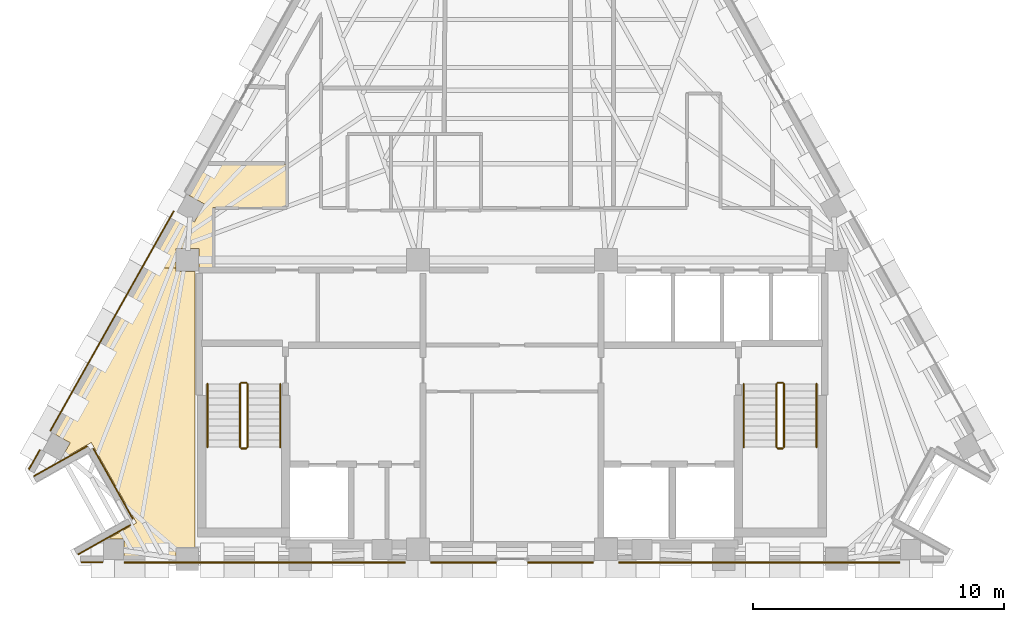
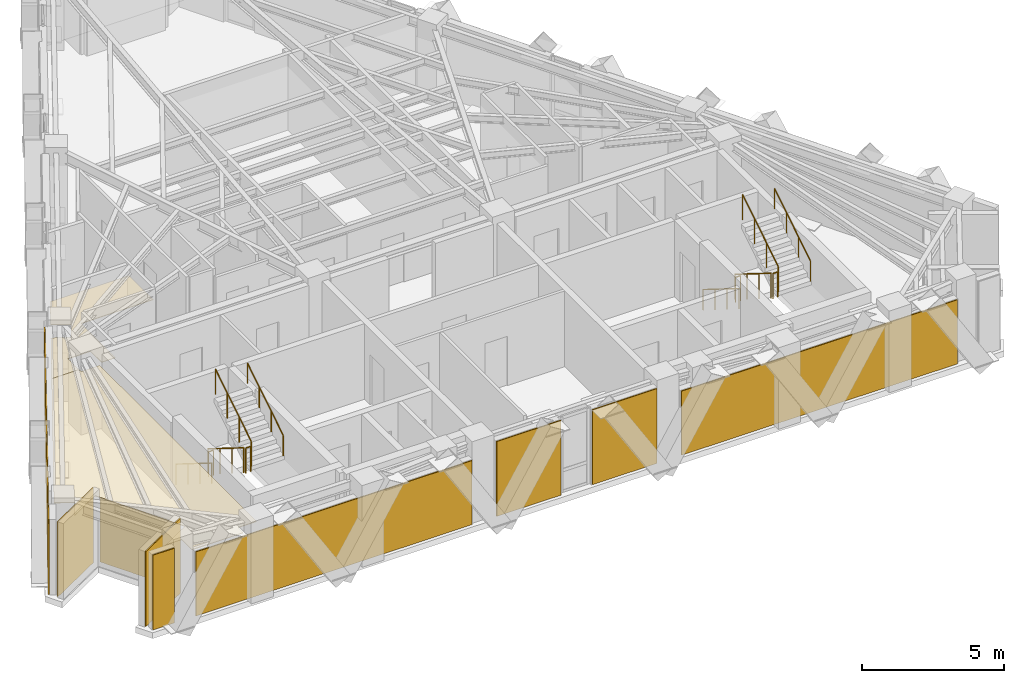
# One storey, part 8 of 9: 12 coverings, 12 railings.
"""IFC4 building model written with IfcOpenShell, lengths in metres."""

from ifc_helpers import new_model, si_unit, direction, frame, origin, origin_2d, place, context, subcontext, project, spatial, polyline, circle, outline, extrude, material, layer, layer_set, type_object, element, save


model = new_model("IFC4")

# Units and contexts
model_context = context("Model", 3, precision=1e-05, world=origin(), true_north=direction((0.0, 1.0)))
body_context = subcontext(model_context, "Body", "Model", "MODEL_VIEW")
ifc_project = project(units=[si_unit("LENGTHUNIT", "METRE"), si_unit("AREAUNIT", "SQUARE_METRE"), si_unit("VOLUMEUNIT", "CUBIC_METRE"), si_unit("PLANEANGLEUNIT", "RADIAN"), si_unit("MASSUNIT", "GRAM", prefix="KILO")], contexts=[model_context])

# Site, building, storey
site_placement = place(None, origin())
site = spatial("IfcSite", under=ifc_project, at=site_placement, CompositionType="ELEMENT")
building_placement = place(site_placement, origin())
building = spatial("IfcBuilding", under=site, at=building_placement, Name="Quenlor Broadcast Tower", CompositionType="ELEMENT")
storey_placement = place(building_placement, frame((0.0, 0.0, 249.89990234375)))
storey = spatial("IfcBuildingStorey", under=building, at=storey_placement, Name="L69", CompositionType="ELEMENT", Elevation=249.89990234375)

# Coverings
ifc_material_1 = material(Name="Acoustic Mineral Fibre Board", Category="other")
ifc_layer_1 = layer(ifc_material_1, 0.02490234375)
ifc_layer_set_1 = layer_set([ifc_layer_1], Name="Acoustic Perforated Mineral Tile Ceiling 25")
covering_type_1 = type_object("IfcCoveringType", Name="Acoustic Perforated Mineral Tile Ceiling 25", PredefinedType="CEILING", material=ifc_layer_set_1)
covering_1_placement = place(storey_placement, frame((0.0, 0.0, 2.714599609375)))
element("IfcCovering", 1, at=covering_1_placement, inside=storey, type_object=covering_type_1, Name="L69 Acoustic Ceiling L69-30", PredefinedType="CEILING", context=body_context, shape_type="SweptSolid", body=[
    extrude(outline(polyline([(-13.295654296875, -2.930419921875), (-12.669921875, -3.2822265625), (-12.27001953125, -2.571044921875), (-12.895751953125, -2.218994140625), (-12.206298828125, -0.993408203125), (-9.0, -0.993408203125), (-9.0, -2.699951171875), (-11.929931640625, -2.699951171875), (-11.929931640625, -5.1201171875), (-12.491943359375, -5.1201171875), (-12.491943359375, -4.342041015625), (-13.407958984375, -4.342041015625), (-13.407958984375, -5.1201171875), (-14.52734375, -5.1201171875), (-13.295654296875, -2.930419921875)])), origin(), (0.0, 0.0, 1.0), 0.025146484375),
])
covering_2_placement = place(storey_placement, frame((0.0, 0.0, 2.714599609375)))
element("IfcCovering", 2, at=covering_2_placement, inside=storey, type_object=covering_type_1, Name="L69 Acoustic Ceiling L69-30-2", PredefinedType="CEILING", context=body_context, shape_type="SweptSolid", body=[
    extrude(outline(polyline([(-17.626708984375, -12.09423828125), (-18.25244140625, -11.7421875), (-14.52734375, -5.1201171875), (-13.407958984375, -5.1201171875), (-13.407958984375, -5.258056640625), (-12.64990234375, -5.258056640625), (-12.64990234375, -16.2919921875), (-13.407958984375, -16.2919921875), (-13.407958984375, -16.659912109375), (-15.489501953125, -16.659912109375), (-15.489501953125, -15.94189453125), (-16.1435546875, -15.94189453125), (-14.983642578125, -15.28955078125), (-16.785888671875, -12.085693359375), (-18.0087890625, -12.773681640625), (-17.626708984375, -12.09423828125)])), origin(), (0.0, 0.0, 1.0), 0.025146484375),
])
ifc_material_2 = material(Name="Architectural Terracotta Ceramic", Category="masonry")
ifc_layer_2 = layer(ifc_material_2, 0.044921875)
ifc_layer_set_2 = layer_set([ifc_layer_2], Name="Fluted Terracotta Rainscreen Cladding Panel")
covering_type_2 = type_object("IfcCoveringType", Name="Fluted Terracotta Rainscreen Cladding Panel", PredefinedType="CLADDING", material=ifc_layer_set_2)
covering_3_placement = place(storey_placement, frame((0.0, 0.0, 0.02001953125)))
element("IfcCovering", 3, at=covering_3_placement, inside=storey, type_object=covering_type_2, Name="L69 Terracotta Rainscreen Cladding L69-SHD-SS1", PredefinedType="CLADDING", context=body_context, shape_type="SweptSolid", body=[
    extrude(outline(polyline([(-16.33251953125, -16.8369140625), (-17.18994140625, -16.8369140625), (-17.18994140625, -16.882080078125), (-16.33251953125, -16.882080078125), (-16.33251953125, -16.8369140625)])), origin(), (0.0, 0.0, 1.0), 3.2099609375),
])
covering_4_placement = place(storey_placement, frame((0.0, 0.0, 0.02001953125)))
element("IfcCovering", 4, at=covering_4_placement, inside=storey, type_object=covering_type_2, Name="L69 Terracotta Rainscreen Cladding L69-EW-SA", PredefinedType="CLADDING", context=body_context, shape_type="SweptSolid", body=[
    extrude(outline(polyline([(15.462646484375, -16.846923828125), (4.25, -16.846923828125), (4.25, -16.89208984375), (15.462646484375, -16.89208984375), (15.462646484375, -16.846923828125)])), origin(), (0.0, 0.0, 1.0), 2.749755859375),
])
covering_5_placement = place(storey_placement, frame((0.0, 0.0, 0.02001953125)))
element("IfcCovering", 5, at=covering_5_placement, inside=storey, type_object=covering_type_2, Name="L69 Terracotta Rainscreen Cladding L69-EW-SC", PredefinedType="CLADDING", context=body_context, shape_type="SweptSolid", body=[
    extrude(outline(polyline([(-4.25, -16.846923828125), (-15.462646484375, -16.846923828125), (-15.462646484375, -16.89208984375), (-4.25, -16.89208984375), (-4.25, -16.846923828125)])), origin(), (0.0, 0.0, 1.0), 2.749755859375),
])
covering_6_placement = place(storey_placement, frame((0.0, 0.0, 0.02001953125)))
element("IfcCovering", 6, at=covering_6_placement, inside=storey, type_object=covering_type_2, Name="L69 Terracotta Rainscreen Cladding L69-S-SP1", PredefinedType="CLADDING", context=body_context, shape_type="SweptSolid", body=[
    extrude(outline(polyline([(3.25, -16.846923828125), (0.636474609375, -16.846923828125), (0.636474609375, -16.89208984375), (3.25, -16.89208984375), (3.25, -16.846923828125)])), origin(), (0.0, 0.0, 1.0), 3.2099609375),
])
covering_7_placement = place(storey_placement, frame((0.0, 0.0, 0.02001953125)))
element("IfcCovering", 7, at=covering_7_placement, inside=storey, type_object=covering_type_2, Name="L69 Terracotta Rainscreen Cladding L69-S-SP2", PredefinedType="CLADDING", context=body_context, shape_type="SweptSolid", body=[
    extrude(outline(polyline([(-0.636474609375, -16.846923828125), (-3.25, -16.846923828125), (-3.25, -16.89208984375), (-0.636474609375, -16.89208984375), (-0.636474609375, -16.846923828125)])), origin(), (0.0, 0.0, 1.0), 3.2099609375),
])
covering_8_placement = place(storey_placement, frame((0.0, 0.0, 0.02001953125)))
element("IfcCovering", 8, at=covering_8_placement, inside=storey, type_object=covering_type_2, Name="L69 Terracotta Rainscreen Cladding L69-SHD-NWS0", PredefinedType="CLADDING", context=body_context, shape_type="SweptSolid", body=[
    extrude(outline(polyline([(-19.25390625, -13.161376953125), (-18.820068359375, -12.39013671875), (-18.859130859375, -12.3681640625), (-19.29296875, -13.139404296875), (-19.25390625, -13.161376953125)])), origin(), (0.0, 0.0, 1.0), 3.2099609375),
])
covering_9_placement = place(storey_placement, frame((0.0, 0.0, 0.02001953125)))
element("IfcCovering", 9, at=covering_9_placement, inside=storey, type_object=covering_type_2, Name="L69 Terracotta Rainscreen Cladding L69-EW-NWA", PredefinedType="CLADDING", context=body_context, shape_type="SweptSolid", body=[
    extrude(outline(polyline([(-18.402099609375, -11.626953125), (-13.471923828125, -2.862060546875), (-13.51123046875, -2.840087890625), (-18.44140625, -11.60498046875), (-18.402099609375, -11.626953125)])), origin(), (0.0, 0.0, 1.0), 3.2099609375),
])
covering_10_placement = place(storey_placement, frame((0.0, 0.0, 0.02001953125)))
element("IfcCovering", 10, at=covering_10_placement, inside=storey, type_object=covering_type_2, Name="L69 Terracotta Rainscreen Cladding L69-CNR-13", PredefinedType="CLADDING", context=body_context, shape_type="SweptSolid", body=[
    extrude(outline(polyline([(-19.062255859375, -13.444091796875), (-16.935546875, -12.247802734375), (-16.95751953125, -12.208740234375), (-19.084228515625, -13.405029296875), (-19.062255859375, -13.444091796875)])), origin(), (0.0, 0.0, 1.0), 3.2099609375),
])
covering_11_placement = place(storey_placement, frame((0.0, 0.0, 0.02001953125)))
element("IfcCovering", 11, at=covering_11_placement, inside=storey, type_object=covering_type_2, Name="L69 Terracotta Rainscreen Cladding L69-CNR-14", PredefinedType="CLADDING", context=body_context, shape_type="SweptSolid", body=[
    extrude(outline(polyline([(-16.72265625, -12.3369140625), (-15.14599609375, -15.139892578125), (-15.106689453125, -15.117919921875), (-16.683349609375, -12.31494140625), (-16.72265625, -12.3369140625)])), origin(), (0.0, 0.0, 1.0), 2.749755859375),
])
covering_12_placement = place(storey_placement, frame((0.0, 0.0, 0.02001953125)))
element("IfcCovering", 12, at=covering_12_placement, inside=storey, type_object=covering_type_2, Name="L69 Terracotta Rainscreen Cladding L69-CNR-15", PredefinedType="CLADDING", context=body_context, shape_type="SweptSolid", body=[
    extrude(outline(polyline([(-15.23486328125, -15.352783203125), (-17.32666015625, -16.529541015625), (-17.3046875, -16.568603515625), (-15.212890625, -15.39208984375), (-15.23486328125, -15.352783203125)])), origin(), (0.0, 0.0, 1.0), 3.2099609375),
])

# Railings
ifc_material_3 = material(Name="Anodised Aluminium", Category="aluminium")
railing_type_1 = type_object("IfcRailingType", Name="Stainless Aluminium Wall Handrail 900", PredefinedType="HANDRAIL", material=ifc_material_3)
railing_1_placement = place(storey_placement, frame((-12.14990234375, -9.75, 0.175048828125)))
element("IfcRailing", 13, at=railing_1_placement, inside=storey, type_object=railing_type_1, Name="L69 ST-1 stair handrail 1", PredefinedType="HANDRAIL", context=body_context, shape_type="SweptSolid", body=[
    extrude(circle(Radius=0.02392578125, at=origin_2d()), frame((0.0, 0.0, 0.8759765625), z_axis=(0.0, -0.848007534815, 0.529984170421), x_axis=(1.0, 0.0, 0.0)), (0.0, 0.0, 1.0), 2.9716796875),
    extrude(circle(Radius=0.02099609375, at=origin_2d()), origin(), (0.0, 0.0, 1.0), 0.851806640625),
    extrude(circle(Radius=0.02099609375, at=origin_2d()), frame((0.0, -0.840087890625, 0.52490234375)), (0.0, 0.0, 1.0), 0.851806640625),
    extrude(circle(Radius=0.02099609375, at=origin_2d()), frame((0.0, -1.679931640625, 1.050048828125)), (0.0, 0.0, 1.0), 0.851806640625),
    extrude(circle(Radius=0.02099609375, at=origin_2d()), frame((0.0, -2.52001953125, 1.574951171875)), (0.0, 0.0, 1.0), 0.851806640625),
])
railing_2_placement = place(storey_placement, frame((-9.25, -12.27001953125, 1.925048828125)))
element("IfcRailing", 14, at=railing_2_placement, inside=storey, type_object=railing_type_1, Name="L69 ST-1 stair handrail 2", PredefinedType="HANDRAIL", context=body_context, shape_type="SweptSolid", body=[
    extrude(circle(Radius=0.02392578125, at=origin_2d()), frame((0.0, 0.0, 0.8759765625), z_axis=(0.0, 0.848007534815, 0.529984170421), x_axis=(-1.0, 0.0, 0.0)), (0.0, 0.0, 1.0), 2.9716796875),
    extrude(circle(Radius=0.02099609375, at=origin_2d()), origin(), (0.0, 0.0, 1.0), 0.851806640625),
    extrude(circle(Radius=0.02099609375, at=origin_2d()), frame((0.0, 0.840087890625, 0.52490234375)), (0.0, 0.0, 1.0), 0.851806640625),
    extrude(circle(Radius=0.02099609375, at=origin_2d()), frame((0.0, 1.679931640625, 1.050048828125)), (0.0, 0.0, 1.0), 0.851806640625),
    extrude(circle(Radius=0.02099609375, at=origin_2d()), frame((0.0, 2.52001953125, 1.574951171875)), (0.0, 0.0, 1.0), 0.851806640625),
])
railing_3_placement = place(storey_placement, frame((9.25, -9.75, 0.175048828125)))
element("IfcRailing", 15, at=railing_3_placement, inside=storey, type_object=railing_type_1, Name="L69 ST-2 stair handrail 1", PredefinedType="HANDRAIL", context=body_context, shape_type="SweptSolid", body=[
    extrude(circle(Radius=0.02392578125, at=origin_2d()), frame((0.0, 0.0, 0.8759765625), z_axis=(0.0, -0.848007534815, 0.529984170421), x_axis=(1.0, 0.0, 0.0)), (0.0, 0.0, 1.0), 2.9716796875),
    extrude(circle(Radius=0.02099609375, at=origin_2d()), origin(), (0.0, 0.0, 1.0), 0.851806640625),
    extrude(circle(Radius=0.02099609375, at=origin_2d()), frame((0.0, -0.840087890625, 0.52490234375)), (0.0, 0.0, 1.0), 0.851806640625),
    extrude(circle(Radius=0.02099609375, at=origin_2d()), frame((0.0, -1.679931640625, 1.050048828125)), (0.0, 0.0, 1.0), 0.851806640625),
    extrude(circle(Radius=0.02099609375, at=origin_2d()), frame((0.0, -2.52001953125, 1.574951171875)), (0.0, 0.0, 1.0), 0.851806640625),
])
railing_4_placement = place(storey_placement, frame((12.14990234375, -12.27001953125, 1.925048828125)))
element("IfcRailing", 16, at=railing_4_placement, inside=storey, type_object=railing_type_1, Name="L69 ST-2 stair handrail 2", PredefinedType="HANDRAIL", context=body_context, shape_type="SweptSolid", body=[
    extrude(circle(Radius=0.02392578125, at=origin_2d()), frame((0.0, 0.0, 0.8759765625), z_axis=(0.0, 0.848007534815, 0.529984170421), x_axis=(-1.0, 0.0, 0.0)), (0.0, 0.0, 1.0), 2.9716796875),
    extrude(circle(Radius=0.02099609375, at=origin_2d()), origin(), (0.0, 0.0, 1.0), 0.851806640625),
    extrude(circle(Radius=0.02099609375, at=origin_2d()), frame((0.0, 0.840087890625, 0.52490234375)), (0.0, 0.0, 1.0), 0.851806640625),
    extrude(circle(Radius=0.02099609375, at=origin_2d()), frame((0.0, 1.679931640625, 1.050048828125)), (0.0, 0.0, 1.0), 0.851806640625),
    extrude(circle(Radius=0.02099609375, at=origin_2d()), frame((0.0, 2.52001953125, 1.574951171875)), (0.0, 0.0, 1.0), 0.851806640625),
])
ifc_material_4 = material(Name="Steel S355", Category="steel")
railing_type_2 = type_object("IfcRailingType", Name="Tubular Steel S355 Stair Guardrail 1100", PredefinedType="BALUSTRADE", material=ifc_material_4)
railing_5_placement = place(storey_placement, frame((-10.85009765625, -9.75, 0.175048828125)))
element("IfcRailing", 17, at=railing_5_placement, inside=storey, type_object=railing_type_2, Name="L69 ST-1 stair guard 1", PredefinedType="BALUSTRADE", context=body_context, shape_type="SweptSolid", body=[
    extrude(circle(Radius=0.02392578125, at=origin_2d()), frame((0.0, 0.0, 1.076171875), z_axis=(0.0, -0.848007534815, 0.529984170421), x_axis=(1.0, 0.0, 0.0)), (0.0, 0.0, 1.0), 2.9716796875),
    extrude(circle(Radius=0.02099609375, at=origin_2d()), origin(), (0.0, 0.0, 1.0), 1.052001953125),
    extrude(circle(Radius=0.02099609375, at=origin_2d()), frame((0.0, -0.840087890625, 0.52490234375)), (0.0, 0.0, 1.0), 1.052001953125),
    extrude(circle(Radius=0.02099609375, at=origin_2d()), frame((0.0, -1.679931640625, 1.050048828125)), (0.0, 0.0, 1.0), 1.052001953125),
    extrude(circle(Radius=0.02099609375, at=origin_2d()), frame((0.0, -2.52001953125, 1.574951171875)), (0.0, 0.0, 1.0), 1.052001953125),
])
railing_6_placement = place(storey_placement, frame((-10.800048828125, -12.320068359375, 1.75)))
element("IfcRailing", 18, at=railing_6_placement, inside=storey, type_object=railing_type_2, Name="L69 ST-1 stair guard 2", PredefinedType="BALUSTRADE", context=body_context, shape_type="SweptSolid", body=[
    extrude(circle(Radius=0.02392578125, at=origin_2d()), frame((0.0, 0.0, 1.076171875), z_axis=(1.0, 0.0, 0.0), x_axis=(0.0, 1.0, 0.0)), (0.0, 0.0, 1.0), 0.199951171875),
    extrude(circle(Radius=0.02099609375, at=origin_2d()), origin(), (0.0, 0.0, 1.0), 1.052001953125),
    extrude(circle(Radius=0.02099609375, at=origin_2d()), frame((0.199951171875, 0.0, 0.0)), (0.0, 0.0, 1.0), 1.052001953125),
])
railing_7_placement = place(storey_placement, frame((-10.550048828125, -12.27001953125, 1.925048828125)))
element("IfcRailing", 19, at=railing_7_placement, inside=storey, type_object=railing_type_2, Name="L69 ST-1 stair guard 3", PredefinedType="BALUSTRADE", context=body_context, shape_type="SweptSolid", body=[
    extrude(circle(Radius=0.02392578125, at=origin_2d()), frame((0.0, 0.0, 1.076171875), z_axis=(0.0, 0.848007534815, 0.529984170421), x_axis=(-1.0, 0.0, 0.0)), (0.0, 0.0, 1.0), 2.9716796875),
    extrude(circle(Radius=0.02099609375, at=origin_2d()), origin(), (0.0, 0.0, 1.0), 1.052001953125),
    extrude(circle(Radius=0.02099609375, at=origin_2d()), frame((0.0, 0.840087890625, 0.52490234375)), (0.0, 0.0, 1.0), 1.052001953125),
    extrude(circle(Radius=0.02099609375, at=origin_2d()), frame((0.0, 1.679931640625, 1.050048828125)), (0.0, 0.0, 1.0), 1.052001953125),
    extrude(circle(Radius=0.02099609375, at=origin_2d()), frame((0.0, 2.52001953125, 1.574951171875)), (0.0, 0.0, 1.0), 1.052001953125),
])
railing_8_placement = place(storey_placement, frame((-10.800048828125, -9.699951171875, 0.0)))
element("IfcRailing", 20, at=railing_8_placement, inside=storey, type_object=railing_type_2, Name="L69 ST-1 stair guard 4", PredefinedType="BALUSTRADE", context=body_context, shape_type="SweptSolid", body=[
    extrude(circle(Radius=0.02392578125, at=origin_2d()), frame((0.0, 0.0, 1.076171875), z_axis=(1.0, 0.0, 0.0), x_axis=(0.0, 1.0, 0.0)), (0.0, 0.0, 1.0), 0.199951171875),
    extrude(circle(Radius=0.02099609375, at=origin_2d()), origin(), (0.0, 0.0, 1.0), 1.052001953125),
    extrude(circle(Radius=0.02099609375, at=origin_2d()), frame((0.199951171875, 0.0, 0.0)), (0.0, 0.0, 1.0), 1.052001953125),
])
railing_9_placement = place(storey_placement, frame((10.550048828125, -9.75, 0.175048828125)))
element("IfcRailing", 21, at=railing_9_placement, inside=storey, type_object=railing_type_2, Name="L69 ST-2 stair guard 1", PredefinedType="BALUSTRADE", context=body_context, shape_type="SweptSolid", body=[
    extrude(circle(Radius=0.02392578125, at=origin_2d()), frame((0.0, 0.0, 1.076171875), z_axis=(0.0, -0.848007534815, 0.529984170421), x_axis=(1.0, 0.0, 0.0)), (0.0, 0.0, 1.0), 2.9716796875),
    extrude(circle(Radius=0.02099609375, at=origin_2d()), origin(), (0.0, 0.0, 1.0), 1.052001953125),
    extrude(circle(Radius=0.02099609375, at=origin_2d()), frame((0.0, -0.840087890625, 0.52490234375)), (0.0, 0.0, 1.0), 1.052001953125),
    extrude(circle(Radius=0.02099609375, at=origin_2d()), frame((0.0, -1.679931640625, 1.050048828125)), (0.0, 0.0, 1.0), 1.052001953125),
    extrude(circle(Radius=0.02099609375, at=origin_2d()), frame((0.0, -2.52001953125, 1.574951171875)), (0.0, 0.0, 1.0), 1.052001953125),
])
railing_10_placement = place(storey_placement, frame((10.60009765625, -12.320068359375, 1.75)))
element("IfcRailing", 22, at=railing_10_placement, inside=storey, type_object=railing_type_2, Name="L69 ST-2 stair guard 2", PredefinedType="BALUSTRADE", context=body_context, shape_type="SweptSolid", body=[
    extrude(circle(Radius=0.02392578125, at=origin_2d()), frame((0.0, 0.0, 1.076171875), z_axis=(1.0, 0.0, 0.0), x_axis=(0.0, 1.0, 0.0)), (0.0, 0.0, 1.0), 0.199951171875),
    extrude(circle(Radius=0.02099609375, at=origin_2d()), origin(), (0.0, 0.0, 1.0), 1.052001953125),
    extrude(circle(Radius=0.02099609375, at=origin_2d()), frame((0.199951171875, 0.0, 0.0)), (0.0, 0.0, 1.0), 1.052001953125),
])
railing_11_placement = place(storey_placement, frame((10.85009765625, -12.27001953125, 1.925048828125)))
element("IfcRailing", 23, at=railing_11_placement, inside=storey, type_object=railing_type_2, Name="L69 ST-2 stair guard 3", PredefinedType="BALUSTRADE", context=body_context, shape_type="SweptSolid", body=[
    extrude(circle(Radius=0.02392578125, at=origin_2d()), frame((0.0, 0.0, 1.076171875), z_axis=(0.0, 0.848007534815, 0.529984170421), x_axis=(-1.0, 0.0, 0.0)), (0.0, 0.0, 1.0), 2.9716796875),
    extrude(circle(Radius=0.02099609375, at=origin_2d()), origin(), (0.0, 0.0, 1.0), 1.052001953125),
    extrude(circle(Radius=0.02099609375, at=origin_2d()), frame((0.0, 0.840087890625, 0.52490234375)), (0.0, 0.0, 1.0), 1.052001953125),
    extrude(circle(Radius=0.02099609375, at=origin_2d()), frame((0.0, 1.679931640625, 1.050048828125)), (0.0, 0.0, 1.0), 1.052001953125),
    extrude(circle(Radius=0.02099609375, at=origin_2d()), frame((0.0, 2.52001953125, 1.574951171875)), (0.0, 0.0, 1.0), 1.052001953125),
])
railing_12_placement = place(storey_placement, frame((10.60009765625, -9.699951171875, 0.0)))
element("IfcRailing", 24, at=railing_12_placement, inside=storey, type_object=railing_type_2, Name="L69 ST-2 stair guard 4", PredefinedType="BALUSTRADE", context=body_context, shape_type="SweptSolid", body=[
    extrude(circle(Radius=0.02392578125, at=origin_2d()), frame((0.0, 0.0, 1.076171875), z_axis=(1.0, 0.0, 0.0), x_axis=(0.0, 1.0, 0.0)), (0.0, 0.0, 1.0), 0.199951171875),
    extrude(circle(Radius=0.02099609375, at=origin_2d()), origin(), (0.0, 0.0, 1.0), 1.052001953125),
    extrude(circle(Radius=0.02099609375, at=origin_2d()), frame((0.199951171875, 0.0, 0.0)), (0.0, 0.0, 1.0), 1.052001953125),
])

save(model, "model.ifc")
